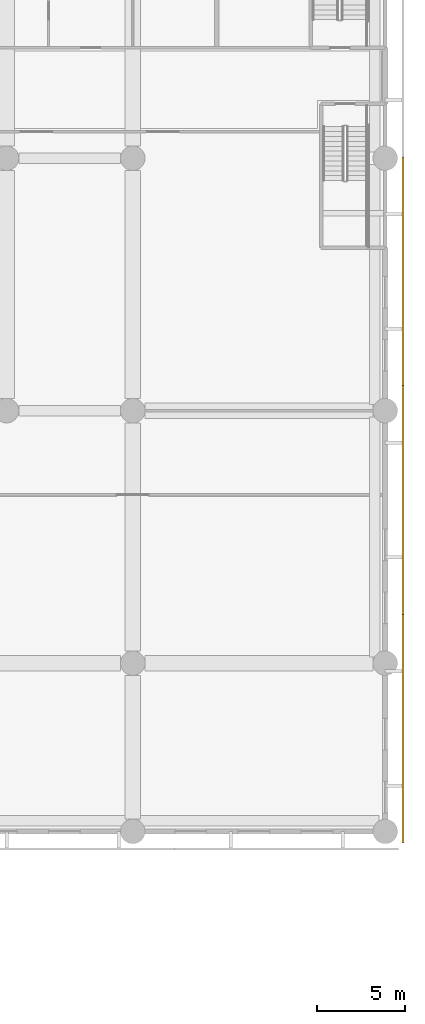
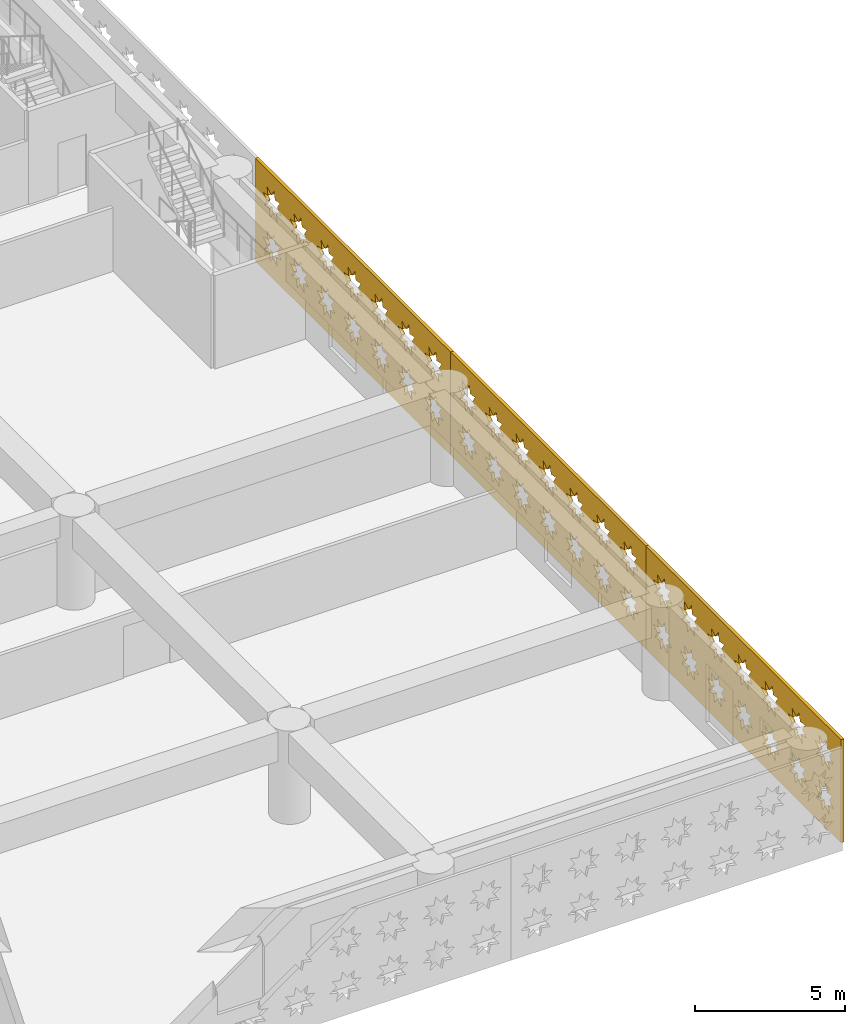
# One storey, part 16 of 23: 3 coverings.
"""IFC4 building model written with IfcOpenShell, lengths in metres."""

from ifc_helpers import new_model, si_unit, direction, frame, origin, place, context, subcontext, project, spatial, polyline, outline, extrude, material, layer, layer_set, type_object, element, save


model = new_model("IFC4")

# Units and contexts
model_context = context("Model", 3, precision=1e-05, world=origin(), true_north=direction((0.0, 1.0)))
body_context = subcontext(model_context, "Body", "Model", "MODEL_VIEW")
ifc_project = project(units=[si_unit("LENGTHUNIT", "METRE"), si_unit("AREAUNIT", "SQUARE_METRE"), si_unit("VOLUMEUNIT", "CUBIC_METRE"), si_unit("PLANEANGLEUNIT", "RADIAN"), si_unit("MASSUNIT", "GRAM", prefix="KILO")], contexts=[model_context])

# Site, building, storey
site_placement = place(None, origin())
site = spatial("IfcSite", under=ifc_project, at=site_placement, CompositionType="ELEMENT")
building_placement = place(site_placement, origin())
building = spatial("IfcBuilding", under=site, at=building_placement, Name="Saffron Iwan Residences", CompositionType="ELEMENT")
storey_placement = place(building_placement, frame((0.0, 0.0, 17.39990234375)))
storey = spatial("IfcBuildingStorey", under=building, at=storey_placement, Name="L03", CompositionType="ELEMENT", Elevation=17.39990234375)

# Coverings
ifc_material = material(Name="Terracotta screen, precast concrete C40/50", Category="masonry")
ifc_layer = layer(ifc_material, 0.1201171875)
ifc_layer_set = layer_set([ifc_layer], Name="Terracotta screen, precast concrete C40/50")
covering_type = type_object("IfcCoveringType", Name="PODIUM SCREEN GIRIH", PredefinedType="CLADDING", material=ifc_layer_set)
covering_1_placement = place(storey_placement, frame((101.75, 8.949951171875, -0.39990234375), z_axis=(1.0, 0.0, 0.0), x_axis=(0.0, 1.0, 0.0)))
element("IfcCovering", 1, at=covering_1_placement, inside=storey, type_object=covering_type, Name="SCREEN girih terracotta L03 F1.0", PredefinedType="CLADDING", context=body_context, shape_type="SweptSolid", body=[
    extrude(outline(polyline([(0.0, 0.0), (13.03662109375, 0.0), (13.03662109375, 4.199951171875), (0.0, 4.199951171875), (0.0, 0.0)]), holes=[polyline([(1.726318359375, 1.321044921875), (1.40087890625, 1.388916015625), (1.462890625, 1.715576171875), (1.184814453125, 1.533447265625), (0.997314453125, 1.80810546875), (0.929443359375, 1.482666015625), (0.602783203125, 1.54443359375), (0.784912109375, 1.266357421875), (0.51025390625, 1.0791015625), (0.835693359375, 1.010986328125), (0.77392578125, 0.6845703125), (1.052001953125, 0.866455078125), (1.2392578125, 0.591796875), (1.30712890625, 0.917236328125), (1.6337890625, 0.85546875), (1.451904296875, 1.1337890625), (1.726318359375, 1.321044921875)]), polyline([(1.726318359375, 3.12109375), (1.40087890625, 3.18896484375), (1.462890625, 3.515380859375), (1.184814453125, 3.33349609375), (0.997314453125, 3.608154296875), (0.929443359375, 3.28271484375), (0.602783203125, 3.344482421875), (0.784912109375, 3.06640625), (0.51025390625, 2.87890625), (0.835693359375, 2.81103515625), (0.77392578125, 2.484619140625), (1.052001953125, 2.66650390625), (1.2392578125, 2.391845703125), (1.30712890625, 2.71728515625), (1.6337890625, 2.655517578125), (1.451904296875, 2.93359375), (1.726318359375, 3.12109375)]), polyline([(3.5263671875, 1.321044921875), (3.200927734375, 1.388916015625), (3.2626953125, 1.715576171875), (2.984619140625, 1.533447265625), (2.79736328125, 1.80810546875), (2.7294921875, 1.482666015625), (2.40283203125, 1.54443359375), (2.5849609375, 1.266357421875), (2.310302734375, 1.0791015625), (2.635498046875, 1.010986328125), (2.573974609375, 0.6845703125), (2.85205078125, 0.866455078125), (3.039306640625, 0.591796875), (3.107177734375, 0.917236328125), (3.433837890625, 0.85546875), (3.251708984375, 1.1337890625), (3.5263671875, 1.321044921875)]), polyline([(3.5263671875, 3.12109375), (3.200927734375, 3.18896484375), (3.2626953125, 3.515380859375), (2.984619140625, 3.33349609375), (2.79736328125, 3.608154296875), (2.7294921875, 3.28271484375), (2.40283203125, 3.344482421875), (2.5849609375, 3.06640625), (2.310302734375, 2.87890625), (2.635498046875, 2.81103515625), (2.573974609375, 2.484619140625), (2.85205078125, 2.66650390625), (3.039306640625, 2.391845703125), (3.107177734375, 2.71728515625), (3.433837890625, 2.655517578125), (3.251708984375, 2.93359375), (3.5263671875, 3.12109375)]), polyline([(5.326416015625, 1.321044921875), (5.0009765625, 1.388916015625), (5.062744140625, 1.715576171875), (4.78466796875, 1.533447265625), (4.597412109375, 1.80810546875), (4.529296875, 1.482666015625), (4.202880859375, 1.54443359375), (4.385009765625, 1.266357421875), (4.110107421875, 1.0791015625), (4.435546875, 1.010986328125), (4.373779296875, 0.6845703125), (4.652099609375, 0.866455078125), (4.83935546875, 0.591796875), (4.9072265625, 0.917236328125), (5.23388671875, 0.85546875), (5.0517578125, 1.1337890625), (5.326416015625, 1.321044921875)]), polyline([(5.326416015625, 3.12109375), (5.0009765625, 3.18896484375), (5.062744140625, 3.515380859375), (4.78466796875, 3.33349609375), (4.597412109375, 3.608154296875), (4.529296875, 3.28271484375), (4.202880859375, 3.344482421875), (4.385009765625, 3.06640625), (4.110107421875, 2.87890625), (4.435546875, 2.81103515625), (4.373779296875, 2.484619140625), (4.652099609375, 2.66650390625), (4.83935546875, 2.391845703125), (4.9072265625, 2.71728515625), (5.23388671875, 2.655517578125), (5.0517578125, 2.93359375), (5.326416015625, 3.12109375)]), polyline([(7.12646484375, 1.321044921875), (6.801025390625, 1.388916015625), (6.86279296875, 1.715576171875), (6.584716796875, 1.533447265625), (6.3974609375, 1.80810546875), (6.329345703125, 1.482666015625), (6.002685546875, 1.54443359375), (6.184814453125, 1.266357421875), (5.91015625, 1.0791015625), (6.235595703125, 1.010986328125), (6.173828125, 0.6845703125), (6.451904296875, 0.866455078125), (6.639404296875, 0.591796875), (6.707275390625, 0.917236328125), (7.03369140625, 0.85546875), (6.851806640625, 1.1337890625), (7.12646484375, 1.321044921875)]), polyline([(7.12646484375, 3.12109375), (6.801025390625, 3.18896484375), (6.86279296875, 3.515380859375), (6.584716796875, 3.33349609375), (6.3974609375, 3.608154296875), (6.329345703125, 3.28271484375), (6.002685546875, 3.344482421875), (6.184814453125, 3.06640625), (5.91015625, 2.87890625), (6.235595703125, 2.81103515625), (6.173828125, 2.484619140625), (6.451904296875, 2.66650390625), (6.639404296875, 2.391845703125), (6.707275390625, 2.71728515625), (7.03369140625, 2.655517578125), (6.851806640625, 2.93359375), (7.12646484375, 3.12109375)]), polyline([(8.926513671875, 1.321044921875), (8.60107421875, 1.388916015625), (8.662841796875, 1.715576171875), (8.384765625, 1.533447265625), (8.197509765625, 1.80810546875), (8.12939453125, 1.482666015625), (7.802734375, 1.54443359375), (7.98486328125, 1.266357421875), (7.710205078125, 1.0791015625), (8.03564453125, 1.010986328125), (7.973876953125, 0.6845703125), (8.251953125, 0.866455078125), (8.439208984375, 0.591796875), (8.507080078125, 0.917236328125), (8.833740234375, 0.85546875), (8.65185546875, 1.1337890625), (8.926513671875, 1.321044921875)]), polyline([(8.926513671875, 3.12109375), (8.60107421875, 3.18896484375), (8.662841796875, 3.515380859375), (8.384765625, 3.33349609375), (8.197509765625, 3.608154296875), (8.12939453125, 3.28271484375), (7.802734375, 3.344482421875), (7.98486328125, 3.06640625), (7.710205078125, 2.87890625), (8.03564453125, 2.81103515625), (7.973876953125, 2.484619140625), (8.251953125, 2.66650390625), (8.439208984375, 2.391845703125), (8.507080078125, 2.71728515625), (8.833740234375, 2.655517578125), (8.65185546875, 2.93359375), (8.926513671875, 3.12109375)]), polyline([(10.726318359375, 1.321044921875), (10.40087890625, 1.388916015625), (10.462890625, 1.715576171875), (10.184814453125, 1.533447265625), (9.997314453125, 1.80810546875), (9.929443359375, 1.482666015625), (9.602783203125, 1.54443359375), (9.784912109375, 1.266357421875), (9.51025390625, 1.0791015625), (9.835693359375, 1.010986328125), (9.77392578125, 0.6845703125), (10.052001953125, 0.866455078125), (10.2392578125, 0.591796875), (10.30712890625, 0.917236328125), (10.6337890625, 0.85546875), (10.451904296875, 1.1337890625), (10.726318359375, 1.321044921875)]), polyline([(10.726318359375, 3.12109375), (10.40087890625, 3.18896484375), (10.462890625, 3.515380859375), (10.184814453125, 3.33349609375), (9.997314453125, 3.608154296875), (9.929443359375, 3.28271484375), (9.602783203125, 3.344482421875), (9.784912109375, 3.06640625), (9.51025390625, 2.87890625), (9.835693359375, 2.81103515625), (9.77392578125, 2.484619140625), (10.052001953125, 2.66650390625), (10.2392578125, 2.391845703125), (10.30712890625, 2.71728515625), (10.6337890625, 2.655517578125), (10.451904296875, 2.93359375), (10.726318359375, 3.12109375)]), polyline([(12.5263671875, 1.321044921875), (12.200927734375, 1.388916015625), (12.2626953125, 1.715576171875), (11.984619140625, 1.533447265625), (11.79736328125, 1.80810546875), (11.7294921875, 1.482666015625), (11.40283203125, 1.54443359375), (11.5849609375, 1.266357421875), (11.310302734375, 1.0791015625), (11.635498046875, 1.010986328125), (11.573974609375, 0.6845703125), (11.85205078125, 0.866455078125), (12.039306640625, 0.591796875), (12.107177734375, 0.917236328125), (12.433837890625, 0.85546875), (12.251708984375, 1.1337890625), (12.5263671875, 1.321044921875)]), polyline([(12.5263671875, 3.12109375), (12.200927734375, 3.18896484375), (12.2626953125, 3.515380859375), (11.984619140625, 3.33349609375), (11.79736328125, 3.608154296875), (11.7294921875, 3.28271484375), (11.40283203125, 3.344482421875), (11.5849609375, 3.06640625), (11.310302734375, 2.87890625), (11.635498046875, 2.81103515625), (11.573974609375, 2.484619140625), (11.85205078125, 2.66650390625), (12.039306640625, 2.391845703125), (12.107177734375, 2.71728515625), (12.433837890625, 2.655517578125), (12.251708984375, 2.93359375), (12.5263671875, 3.12109375)])]), origin(), (0.0, 0.0, 1.0), 0.1201171875),
])
covering_2_placement = place(storey_placement, frame((101.75, 21.98681640625, -0.39990234375), z_axis=(1.0, 0.0, 0.0), x_axis=(0.0, 1.0, 0.0)))
element("IfcCovering", 2, at=covering_2_placement, inside=storey, type_object=covering_type, Name="SCREEN girih terracotta L03 F1.1", PredefinedType="CLADDING", context=body_context, shape_type="SweptSolid", body=[
    extrude(outline(polyline([(0.0, 0.0), (13.03662109375, 0.0), (13.03662109375, 4.199951171875), (0.0, 4.199951171875), (0.0, 0.0)]), holes=[polyline([(1.726318359375, 1.321044921875), (1.40087890625, 1.388916015625), (1.462890625, 1.715576171875), (1.184814453125, 1.533447265625), (0.997314453125, 1.80810546875), (0.929443359375, 1.482666015625), (0.602783203125, 1.54443359375), (0.784912109375, 1.266357421875), (0.51025390625, 1.0791015625), (0.835693359375, 1.010986328125), (0.77392578125, 0.6845703125), (1.052001953125, 0.866455078125), (1.2392578125, 0.591796875), (1.30712890625, 0.917236328125), (1.6337890625, 0.85546875), (1.451904296875, 1.1337890625), (1.726318359375, 1.321044921875)]), polyline([(1.726318359375, 3.12109375), (1.40087890625, 3.18896484375), (1.462890625, 3.515380859375), (1.184814453125, 3.33349609375), (0.997314453125, 3.608154296875), (0.929443359375, 3.28271484375), (0.602783203125, 3.344482421875), (0.784912109375, 3.06640625), (0.51025390625, 2.87890625), (0.835693359375, 2.81103515625), (0.77392578125, 2.484619140625), (1.052001953125, 2.66650390625), (1.2392578125, 2.391845703125), (1.30712890625, 2.71728515625), (1.6337890625, 2.655517578125), (1.451904296875, 2.93359375), (1.726318359375, 3.12109375)]), polyline([(3.5263671875, 1.321044921875), (3.200927734375, 1.388916015625), (3.2626953125, 1.715576171875), (2.984619140625, 1.533447265625), (2.79736328125, 1.80810546875), (2.7294921875, 1.482666015625), (2.40283203125, 1.54443359375), (2.5849609375, 1.266357421875), (2.310302734375, 1.0791015625), (2.635498046875, 1.010986328125), (2.573974609375, 0.6845703125), (2.85205078125, 0.866455078125), (3.039306640625, 0.591796875), (3.107177734375, 0.917236328125), (3.433837890625, 0.85546875), (3.251708984375, 1.1337890625), (3.5263671875, 1.321044921875)]), polyline([(3.5263671875, 3.12109375), (3.200927734375, 3.18896484375), (3.2626953125, 3.515380859375), (2.984619140625, 3.33349609375), (2.79736328125, 3.608154296875), (2.7294921875, 3.28271484375), (2.40283203125, 3.344482421875), (2.5849609375, 3.06640625), (2.310302734375, 2.87890625), (2.635498046875, 2.81103515625), (2.573974609375, 2.484619140625), (2.85205078125, 2.66650390625), (3.039306640625, 2.391845703125), (3.107177734375, 2.71728515625), (3.433837890625, 2.655517578125), (3.251708984375, 2.93359375), (3.5263671875, 3.12109375)]), polyline([(5.326416015625, 1.321044921875), (5.0009765625, 1.388916015625), (5.062744140625, 1.715576171875), (4.78466796875, 1.533447265625), (4.597412109375, 1.80810546875), (4.529296875, 1.482666015625), (4.202880859375, 1.54443359375), (4.385009765625, 1.266357421875), (4.110107421875, 1.0791015625), (4.435546875, 1.010986328125), (4.373779296875, 0.6845703125), (4.652099609375, 0.866455078125), (4.83935546875, 0.591796875), (4.9072265625, 0.917236328125), (5.23388671875, 0.85546875), (5.0517578125, 1.1337890625), (5.326416015625, 1.321044921875)]), polyline([(5.326416015625, 3.12109375), (5.0009765625, 3.18896484375), (5.062744140625, 3.515380859375), (4.78466796875, 3.33349609375), (4.597412109375, 3.608154296875), (4.529296875, 3.28271484375), (4.202880859375, 3.344482421875), (4.385009765625, 3.06640625), (4.110107421875, 2.87890625), (4.435546875, 2.81103515625), (4.373779296875, 2.484619140625), (4.652099609375, 2.66650390625), (4.83935546875, 2.391845703125), (4.9072265625, 2.71728515625), (5.23388671875, 2.655517578125), (5.0517578125, 2.93359375), (5.326416015625, 3.12109375)]), polyline([(7.12646484375, 1.321044921875), (6.801025390625, 1.388916015625), (6.86279296875, 1.715576171875), (6.584716796875, 1.533447265625), (6.3974609375, 1.80810546875), (6.329345703125, 1.482666015625), (6.002685546875, 1.54443359375), (6.184814453125, 1.266357421875), (5.91015625, 1.0791015625), (6.235595703125, 1.010986328125), (6.173828125, 0.6845703125), (6.451904296875, 0.866455078125), (6.639404296875, 0.591796875), (6.707275390625, 0.917236328125), (7.03369140625, 0.85546875), (6.851806640625, 1.1337890625), (7.12646484375, 1.321044921875)]), polyline([(7.12646484375, 3.12109375), (6.801025390625, 3.18896484375), (6.86279296875, 3.515380859375), (6.584716796875, 3.33349609375), (6.3974609375, 3.608154296875), (6.329345703125, 3.28271484375), (6.002685546875, 3.344482421875), (6.184814453125, 3.06640625), (5.91015625, 2.87890625), (6.235595703125, 2.81103515625), (6.173828125, 2.484619140625), (6.451904296875, 2.66650390625), (6.639404296875, 2.391845703125), (6.707275390625, 2.71728515625), (7.03369140625, 2.655517578125), (6.851806640625, 2.93359375), (7.12646484375, 3.12109375)]), polyline([(8.926513671875, 1.321044921875), (8.60107421875, 1.388916015625), (8.662841796875, 1.715576171875), (8.384765625, 1.533447265625), (8.197509765625, 1.80810546875), (8.12939453125, 1.482666015625), (7.802734375, 1.54443359375), (7.98486328125, 1.266357421875), (7.710205078125, 1.0791015625), (8.03564453125, 1.010986328125), (7.973876953125, 0.6845703125), (8.251953125, 0.866455078125), (8.439208984375, 0.591796875), (8.507080078125, 0.917236328125), (8.833740234375, 0.85546875), (8.65185546875, 1.1337890625), (8.926513671875, 1.321044921875)]), polyline([(8.926513671875, 3.12109375), (8.60107421875, 3.18896484375), (8.662841796875, 3.515380859375), (8.384765625, 3.33349609375), (8.197509765625, 3.608154296875), (8.12939453125, 3.28271484375), (7.802734375, 3.344482421875), (7.98486328125, 3.06640625), (7.710205078125, 2.87890625), (8.03564453125, 2.81103515625), (7.973876953125, 2.484619140625), (8.251953125, 2.66650390625), (8.439208984375, 2.391845703125), (8.507080078125, 2.71728515625), (8.833740234375, 2.655517578125), (8.65185546875, 2.93359375), (8.926513671875, 3.12109375)]), polyline([(10.726318359375, 1.321044921875), (10.40087890625, 1.388916015625), (10.462890625, 1.715576171875), (10.184814453125, 1.533447265625), (9.997314453125, 1.80810546875), (9.929443359375, 1.482666015625), (9.602783203125, 1.54443359375), (9.784912109375, 1.266357421875), (9.51025390625, 1.0791015625), (9.835693359375, 1.010986328125), (9.77392578125, 0.6845703125), (10.052001953125, 0.866455078125), (10.2392578125, 0.591796875), (10.30712890625, 0.917236328125), (10.6337890625, 0.85546875), (10.451904296875, 1.1337890625), (10.726318359375, 1.321044921875)]), polyline([(10.726318359375, 3.12109375), (10.40087890625, 3.18896484375), (10.462890625, 3.515380859375), (10.184814453125, 3.33349609375), (9.997314453125, 3.608154296875), (9.929443359375, 3.28271484375), (9.602783203125, 3.344482421875), (9.784912109375, 3.06640625), (9.51025390625, 2.87890625), (9.835693359375, 2.81103515625), (9.77392578125, 2.484619140625), (10.052001953125, 2.66650390625), (10.2392578125, 2.391845703125), (10.30712890625, 2.71728515625), (10.6337890625, 2.655517578125), (10.451904296875, 2.93359375), (10.726318359375, 3.12109375)]), polyline([(12.5263671875, 1.321044921875), (12.200927734375, 1.388916015625), (12.2626953125, 1.715576171875), (11.984619140625, 1.533447265625), (11.79736328125, 1.80810546875), (11.7294921875, 1.482666015625), (11.40283203125, 1.54443359375), (11.5849609375, 1.266357421875), (11.310302734375, 1.0791015625), (11.635498046875, 1.010986328125), (11.573974609375, 0.6845703125), (11.85205078125, 0.866455078125), (12.039306640625, 0.591796875), (12.107177734375, 0.917236328125), (12.433837890625, 0.85546875), (12.251708984375, 1.1337890625), (12.5263671875, 1.321044921875)]), polyline([(12.5263671875, 3.12109375), (12.200927734375, 3.18896484375), (12.2626953125, 3.515380859375), (11.984619140625, 3.33349609375), (11.79736328125, 3.608154296875), (11.7294921875, 3.28271484375), (11.40283203125, 3.344482421875), (11.5849609375, 3.06640625), (11.310302734375, 2.87890625), (11.635498046875, 2.81103515625), (11.573974609375, 2.484619140625), (11.85205078125, 2.66650390625), (12.039306640625, 2.391845703125), (12.107177734375, 2.71728515625), (12.433837890625, 2.655517578125), (12.251708984375, 2.93359375), (12.5263671875, 3.12109375)])]), origin(), (0.0, 0.0, 1.0), 0.1201171875),
])
covering_3_placement = place(storey_placement, frame((101.75, 35.023193359375, -0.39990234375), z_axis=(1.0, 0.0, 0.0), x_axis=(0.0, 1.0, 0.0)))
element("IfcCovering", 3, at=covering_3_placement, inside=storey, type_object=covering_type, Name="SCREEN girih terracotta L03 F1.2", PredefinedType="CLADDING", context=body_context, shape_type="SweptSolid", body=[
    extrude(outline(polyline([(0.0, 0.0), (13.03662109375, 0.0), (13.03662109375, 4.199951171875), (0.0, 4.199951171875), (0.0, 0.0)]), holes=[polyline([(1.726318359375, 1.321044921875), (1.40087890625, 1.388916015625), (1.462890625, 1.715576171875), (1.184814453125, 1.533447265625), (0.997314453125, 1.80810546875), (0.929443359375, 1.482666015625), (0.602783203125, 1.54443359375), (0.784912109375, 1.266357421875), (0.51025390625, 1.0791015625), (0.835693359375, 1.010986328125), (0.77392578125, 0.6845703125), (1.052001953125, 0.866455078125), (1.2392578125, 0.591796875), (1.30712890625, 0.917236328125), (1.6337890625, 0.85546875), (1.451904296875, 1.1337890625), (1.726318359375, 1.321044921875)]), polyline([(1.726318359375, 3.12109375), (1.40087890625, 3.18896484375), (1.462890625, 3.515380859375), (1.184814453125, 3.33349609375), (0.997314453125, 3.608154296875), (0.929443359375, 3.28271484375), (0.602783203125, 3.344482421875), (0.784912109375, 3.06640625), (0.51025390625, 2.87890625), (0.835693359375, 2.81103515625), (0.77392578125, 2.484619140625), (1.052001953125, 2.66650390625), (1.2392578125, 2.391845703125), (1.30712890625, 2.71728515625), (1.6337890625, 2.655517578125), (1.451904296875, 2.93359375), (1.726318359375, 3.12109375)]), polyline([(3.5263671875, 1.321044921875), (3.200927734375, 1.388916015625), (3.2626953125, 1.715576171875), (2.984619140625, 1.533447265625), (2.79736328125, 1.80810546875), (2.7294921875, 1.482666015625), (2.40283203125, 1.54443359375), (2.5849609375, 1.266357421875), (2.310302734375, 1.0791015625), (2.635498046875, 1.010986328125), (2.573974609375, 0.6845703125), (2.85205078125, 0.866455078125), (3.039306640625, 0.591796875), (3.107177734375, 0.917236328125), (3.433837890625, 0.85546875), (3.251708984375, 1.1337890625), (3.5263671875, 1.321044921875)]), polyline([(3.5263671875, 3.12109375), (3.200927734375, 3.18896484375), (3.2626953125, 3.515380859375), (2.984619140625, 3.33349609375), (2.79736328125, 3.608154296875), (2.7294921875, 3.28271484375), (2.40283203125, 3.344482421875), (2.5849609375, 3.06640625), (2.310302734375, 2.87890625), (2.635498046875, 2.81103515625), (2.573974609375, 2.484619140625), (2.85205078125, 2.66650390625), (3.039306640625, 2.391845703125), (3.107177734375, 2.71728515625), (3.433837890625, 2.655517578125), (3.251708984375, 2.93359375), (3.5263671875, 3.12109375)]), polyline([(5.326416015625, 1.321044921875), (5.0009765625, 1.388916015625), (5.062744140625, 1.715576171875), (4.78466796875, 1.533447265625), (4.597412109375, 1.80810546875), (4.529296875, 1.482666015625), (4.202880859375, 1.54443359375), (4.385009765625, 1.266357421875), (4.110107421875, 1.0791015625), (4.435546875, 1.010986328125), (4.373779296875, 0.6845703125), (4.652099609375, 0.866455078125), (4.83935546875, 0.591796875), (4.9072265625, 0.917236328125), (5.23388671875, 0.85546875), (5.0517578125, 1.1337890625), (5.326416015625, 1.321044921875)]), polyline([(5.326416015625, 3.12109375), (5.0009765625, 3.18896484375), (5.062744140625, 3.515380859375), (4.78466796875, 3.33349609375), (4.597412109375, 3.608154296875), (4.529296875, 3.28271484375), (4.202880859375, 3.344482421875), (4.385009765625, 3.06640625), (4.110107421875, 2.87890625), (4.435546875, 2.81103515625), (4.373779296875, 2.484619140625), (4.652099609375, 2.66650390625), (4.83935546875, 2.391845703125), (4.9072265625, 2.71728515625), (5.23388671875, 2.655517578125), (5.0517578125, 2.93359375), (5.326416015625, 3.12109375)]), polyline([(7.12646484375, 1.321044921875), (6.801025390625, 1.388916015625), (6.86279296875, 1.715576171875), (6.584716796875, 1.533447265625), (6.3974609375, 1.80810546875), (6.329345703125, 1.482666015625), (6.002685546875, 1.54443359375), (6.184814453125, 1.266357421875), (5.91015625, 1.0791015625), (6.235595703125, 1.010986328125), (6.173828125, 0.6845703125), (6.451904296875, 0.866455078125), (6.639404296875, 0.591796875), (6.707275390625, 0.917236328125), (7.03369140625, 0.85546875), (6.851806640625, 1.1337890625), (7.12646484375, 1.321044921875)]), polyline([(7.12646484375, 3.12109375), (6.801025390625, 3.18896484375), (6.86279296875, 3.515380859375), (6.584716796875, 3.33349609375), (6.3974609375, 3.608154296875), (6.329345703125, 3.28271484375), (6.002685546875, 3.344482421875), (6.184814453125, 3.06640625), (5.91015625, 2.87890625), (6.235595703125, 2.81103515625), (6.173828125, 2.484619140625), (6.451904296875, 2.66650390625), (6.639404296875, 2.391845703125), (6.707275390625, 2.71728515625), (7.03369140625, 2.655517578125), (6.851806640625, 2.93359375), (7.12646484375, 3.12109375)]), polyline([(8.926513671875, 1.321044921875), (8.60107421875, 1.388916015625), (8.662841796875, 1.715576171875), (8.384765625, 1.533447265625), (8.197509765625, 1.80810546875), (8.12939453125, 1.482666015625), (7.802734375, 1.54443359375), (7.98486328125, 1.266357421875), (7.710205078125, 1.0791015625), (8.03564453125, 1.010986328125), (7.973876953125, 0.6845703125), (8.251953125, 0.866455078125), (8.439208984375, 0.591796875), (8.507080078125, 0.917236328125), (8.833740234375, 0.85546875), (8.65185546875, 1.1337890625), (8.926513671875, 1.321044921875)]), polyline([(8.926513671875, 3.12109375), (8.60107421875, 3.18896484375), (8.662841796875, 3.515380859375), (8.384765625, 3.33349609375), (8.197509765625, 3.608154296875), (8.12939453125, 3.28271484375), (7.802734375, 3.344482421875), (7.98486328125, 3.06640625), (7.710205078125, 2.87890625), (8.03564453125, 2.81103515625), (7.973876953125, 2.484619140625), (8.251953125, 2.66650390625), (8.439208984375, 2.391845703125), (8.507080078125, 2.71728515625), (8.833740234375, 2.655517578125), (8.65185546875, 2.93359375), (8.926513671875, 3.12109375)]), polyline([(10.726318359375, 1.321044921875), (10.40087890625, 1.388916015625), (10.462890625, 1.715576171875), (10.184814453125, 1.533447265625), (9.997314453125, 1.80810546875), (9.929443359375, 1.482666015625), (9.602783203125, 1.54443359375), (9.784912109375, 1.266357421875), (9.51025390625, 1.0791015625), (9.835693359375, 1.010986328125), (9.77392578125, 0.6845703125), (10.052001953125, 0.866455078125), (10.2392578125, 0.591796875), (10.30712890625, 0.917236328125), (10.6337890625, 0.85546875), (10.451904296875, 1.1337890625), (10.726318359375, 1.321044921875)]), polyline([(10.726318359375, 3.12109375), (10.40087890625, 3.18896484375), (10.462890625, 3.515380859375), (10.184814453125, 3.33349609375), (9.997314453125, 3.608154296875), (9.929443359375, 3.28271484375), (9.602783203125, 3.344482421875), (9.784912109375, 3.06640625), (9.51025390625, 2.87890625), (9.835693359375, 2.81103515625), (9.77392578125, 2.484619140625), (10.052001953125, 2.66650390625), (10.2392578125, 2.391845703125), (10.30712890625, 2.71728515625), (10.6337890625, 2.655517578125), (10.451904296875, 2.93359375), (10.726318359375, 3.12109375)]), polyline([(12.5263671875, 1.321044921875), (12.200927734375, 1.388916015625), (12.2626953125, 1.715576171875), (11.984619140625, 1.533447265625), (11.79736328125, 1.80810546875), (11.7294921875, 1.482666015625), (11.40283203125, 1.54443359375), (11.5849609375, 1.266357421875), (11.310302734375, 1.0791015625), (11.635498046875, 1.010986328125), (11.573974609375, 0.6845703125), (11.85205078125, 0.866455078125), (12.039306640625, 0.591796875), (12.107177734375, 0.917236328125), (12.433837890625, 0.85546875), (12.251708984375, 1.1337890625), (12.5263671875, 1.321044921875)]), polyline([(12.5263671875, 3.12109375), (12.200927734375, 3.18896484375), (12.2626953125, 3.515380859375), (11.984619140625, 3.33349609375), (11.79736328125, 3.608154296875), (11.7294921875, 3.28271484375), (11.40283203125, 3.344482421875), (11.5849609375, 3.06640625), (11.310302734375, 2.87890625), (11.635498046875, 2.81103515625), (11.573974609375, 2.484619140625), (11.85205078125, 2.66650390625), (12.039306640625, 2.391845703125), (12.107177734375, 2.71728515625), (12.433837890625, 2.655517578125), (12.251708984375, 2.93359375), (12.5263671875, 3.12109375)])]), origin(), (0.0, 0.0, 1.0), 0.1201171875),
])

save(model, "model.ifc")
